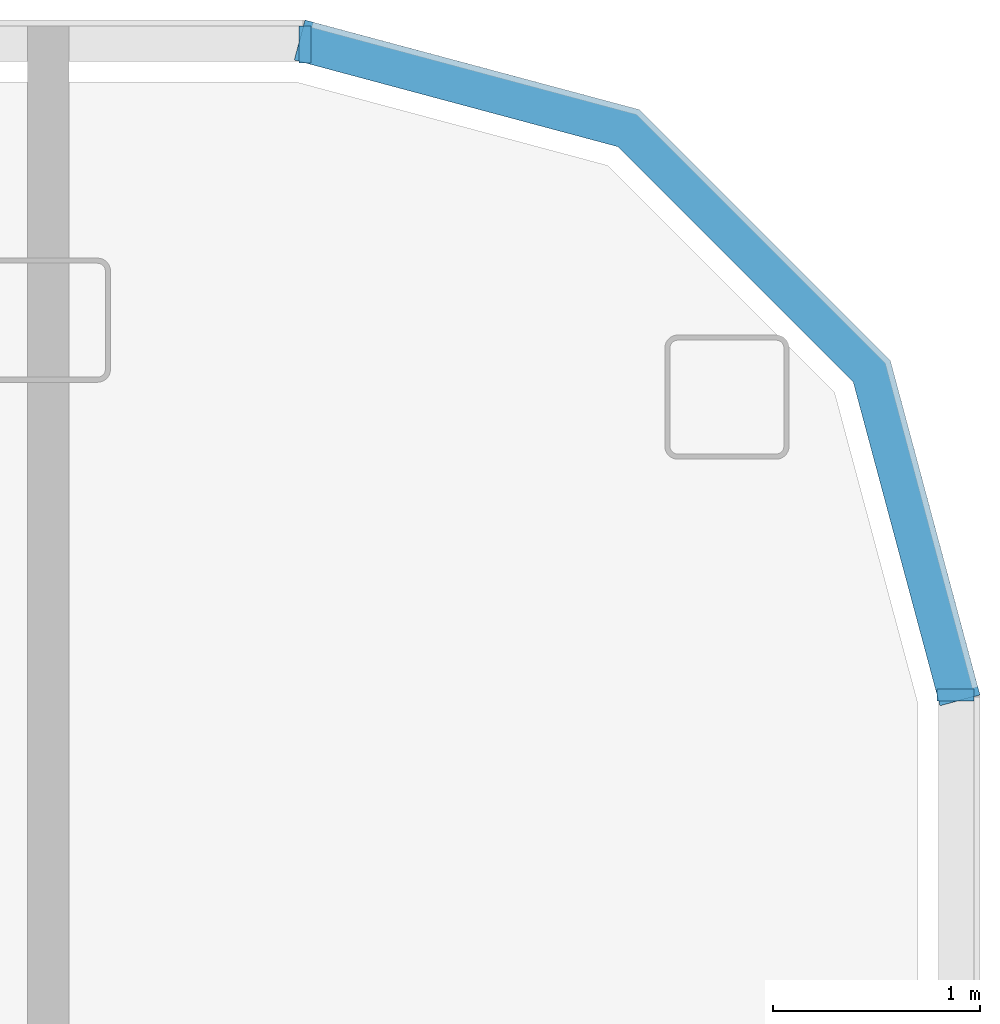
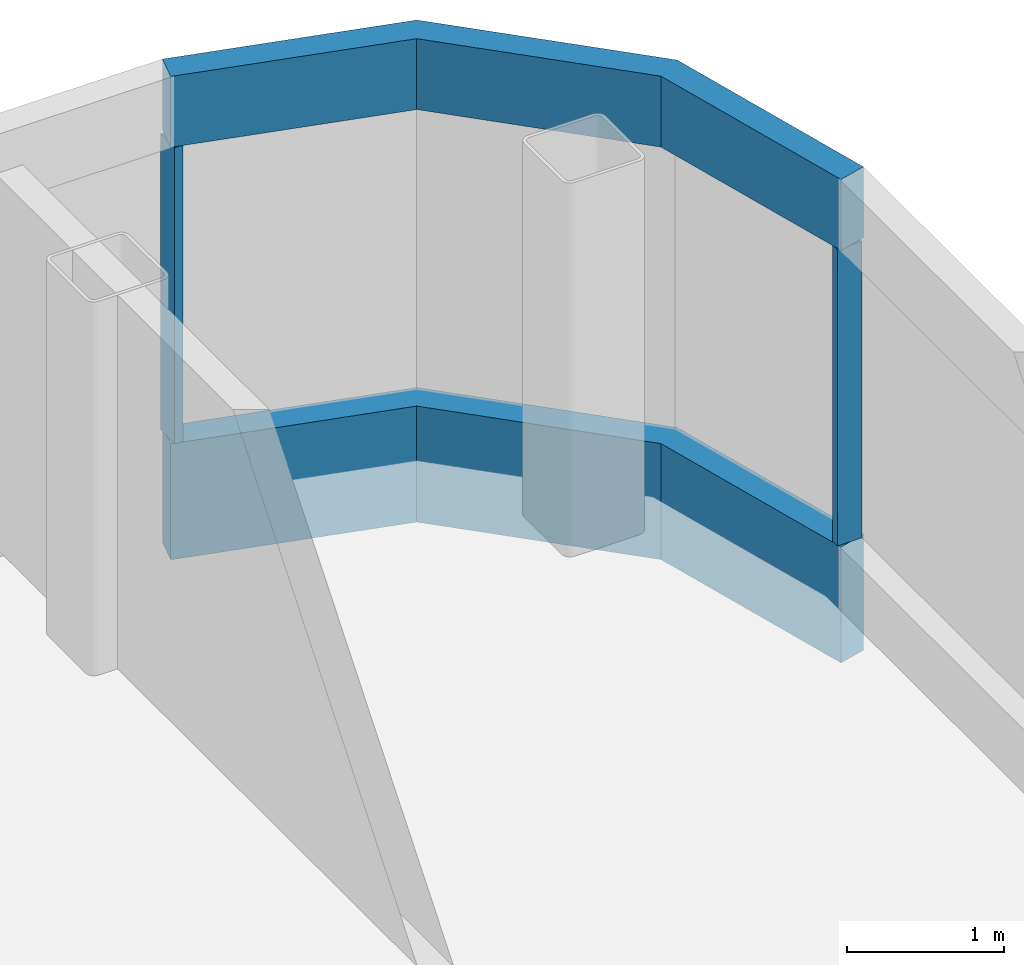
# One storey, part 11 of 26: 4 members, 3 elements without a shape of their own.
"""IFC4 building model written with IfcOpenShell, lengths in metres."""

import ifcopenshell
import ifcopenshell.guid

model = None  # the IFC model being written
_history = None  # IfcOwnerHistory: only IFC2X3 demands one
_inside = {}  # id of a spatial element -> (the spatial element, [elements in it])
_under = {}  # id of a project, library or spatial element -> (it, [spatial elements below it])
_declared = {}  # id of a project -> (the project, [libraries it declares])
_typed = {}  # id of a type object -> (the type object, [elements of that type])
_made_of = {}  # id of a material, layer set ... -> (it, [elements and type objects made of it])


def new_model(schema):
    """Start an empty IFC model of exactly this schema.

    Asked for "IFC4X3", IfcOpenShell would pick the latest addendum, in which some entities
    have other attributes; the version numbers below select the first issue.
    IFC2X3 requires an IfcOwnerHistory on every rooted entity: one is made here for all.
    """
    global model, _history
    if schema == "IFC4X3":
        model = ifcopenshell.file(schema_version=(4, 3, 0, 0))
    else:
        model = ifcopenshell.file(schema=schema)
    _inside.clear()
    _under.clear()
    _declared.clear()
    _typed.clear()
    _made_of.clear()
    _history = None
    if model.schema == "IFC2X3":
        org = make("IfcOrganization", Name="unknown")
        user = make(
            "IfcPersonAndOrganization",
            ThePerson=make("IfcPerson", FamilyName="unknown"),
            TheOrganization=org,
        )
        app = make(
            "IfcApplication",
            ApplicationDeveloper=org,
            Version="unknown",
            ApplicationFullName="unknown",
            ApplicationIdentifier="unknown",
        )
        _history = make(
            "IfcOwnerHistory",
            OwningUser=user,
            OwningApplication=app,
            ChangeAction="ADDED",
            CreationDate=0,
        )
    return model


def make(cls, **values):
    """One entity of the class cls with the attributes given. An attribute that is None is left unset."""
    return model.create_entity(
        cls, **{name: value for name, value in values.items() if value is not None}
    )


def rooted(cls, **values):
    """An entity with a GlobalId (a new one), such as an element, a storey or a relation."""
    return make(cls, GlobalId=ifcopenshell.guid.new(), OwnerHistory=_history, **values)


def si_unit(unit_type, name, prefix=None):
    """IfcSIUnit, for example si_unit("LENGTHUNIT", "METRE", prefix="MILLI")."""
    return make("IfcSIUnit", UnitType=unit_type, Prefix=prefix, Name=name)


def assignment(units):
    """IfcUnitAssignment: the units of a project."""
    return None if units is None else make("IfcUnitAssignment", Units=units)


def point(xyz):
    """IfcCartesianPoint."""
    return None if xyz is None else make("IfcCartesianPoint", Coordinates=xyz)


def direction(xyz):
    """IfcDirection."""
    return None if xyz is None else make("IfcDirection", DirectionRatios=xyz)


def frame(location, z_axis=None, x_axis=None):
    """IfcAxis2Placement3D, a coordinate frame: its origin and axes. An axis left out is left unset."""
    return make(
        "IfcAxis2Placement3D",
        Location=point(location),
        Axis=direction(z_axis),
        RefDirection=direction(x_axis),
    )


def frame_2d(location, x_axis=None):
    """IfcAxis2Placement2D, a coordinate frame in the plane: its origin and x axis."""
    return make(
        "IfcAxis2Placement2D", Location=point(location), RefDirection=direction(x_axis)
    )


def origin():
    """The frame at (0, 0, 0) with its axes left unset."""
    return frame((0.0, 0.0, 0.0))


def origin_2d():
    """The frame at (0, 0) in the plane with its x axis left unset."""
    return frame_2d((0.0, 0.0))


def place(relative_to, where):
    """IfcLocalPlacement: puts the frame where relative to a parent placement (None: the world)."""
    return make(
        "IfcLocalPlacement", PlacementRelTo=relative_to, RelativePlacement=where
    )


def context(
    kind, dimensions, precision=None, world=None, true_north=None, identifier=None
):
    """IfcGeometricRepresentationContext, for example the 3D "Model" context."""
    return make(
        "IfcGeometricRepresentationContext",
        ContextIdentifier=identifier,
        ContextType=kind,
        CoordinateSpaceDimension=dimensions,
        Precision=precision,
        WorldCoordinateSystem=world,
        TrueNorth=true_north,
    )


def subcontext(parent, identifier, kind, view, scale=None):
    """IfcGeometricRepresentationSubContext, for example "Body" below "Model"."""
    return make(
        "IfcGeometricRepresentationSubContext",
        ContextIdentifier=identifier,
        ContextType=kind,
        ParentContext=parent,
        TargetScale=scale,
        TargetView=view,
    )


def project(units=None, contexts=None):
    """IfcProject with its units and contexts."""
    return rooted(
        "IfcProject",
        Name="project",
        RepresentationContexts=contexts,
        UnitsInContext=assignment(units),
    )


def spatial(cls, under=None, at=None, **own):
    """A site, building, storey or space (cls), placed at a placement, below another one or the project."""
    s = rooted(cls, ObjectPlacement=at, **own)
    if under is not None:
        _under.setdefault(under.id(), (under, []))[1].append(s)
    return s


def polyline(points):
    """IfcPolyline through the points."""
    return make("IfcPolyline", Points=[point(p) for p in points])


def profile(cls, at=None, kind="AREA", **sizes):
    """A parametric profile (cls). Its sizes go by their IFC names, for example OverallWidth=200.0."""
    return make(cls, ProfileType=kind, Position=at, **sizes)


def rectangle(**sizes):
    """IfcRectangleProfileDef."""
    return profile("IfcRectangleProfileDef", **sizes)


def outline(outer, holes=None, kind="AREA"):
    """IfcArbitraryClosedProfileDef: a profile drawn as a closed curve; with holes, ...WithVoids."""
    if holes is None:
        return make("IfcArbitraryClosedProfileDef", ProfileType=kind, OuterCurve=outer)
    return make(
        "IfcArbitraryProfileDefWithVoids",
        ProfileType=kind,
        OuterCurve=outer,
        InnerCurves=holes,
    )


def extrude(swept, where, along, depth):
    """IfcExtrudedAreaSolid: the profile swept, set in the frame where, extruded along a direction by depth."""
    return make(
        "IfcExtrudedAreaSolid",
        SweptArea=swept,
        Position=where,
        ExtrudedDirection=direction(along),
        Depth=depth,
    )


def shape(context_of_items, identifier, shape_type, items):
    """IfcShapeRepresentation: the items that make up one representation, for example the "Body"."""
    return make(
        "IfcShapeRepresentation",
        ContextOfItems=context_of_items,
        RepresentationIdentifier=identifier,
        RepresentationType=shape_type,
        Items=items,
    )


def material(Name=None, Category=None):
    """IfcMaterial."""
    return make("IfcMaterial", Name=Name, Category=Category)


def layer(
    of_material, thickness, ventilated=None, Name=None, Category=None, Priority=None
):
    """IfcMaterialLayer: one layer of a wall or slab, of a material (None: an air gap)."""
    return make(
        "IfcMaterialLayer",
        Material=of_material,
        LayerThickness=thickness,
        IsVentilated=ventilated,
        Name=Name,
        Category=Category,
        Priority=Priority,
    )


def layer_set(layers, Name=None):
    """IfcMaterialLayerSet."""
    return make("IfcMaterialLayerSet", MaterialLayers=layers, LayerSetName=Name)


def material_profile(
    of_material, cross_section, Name=None, Category=None, Priority=None
):
    """IfcMaterialProfile: a cross section and its material."""
    return make(
        "IfcMaterialProfile",
        Name=Name,
        Material=of_material,
        Profile=cross_section,
        Priority=Priority,
        Category=Category,
    )


def profile_set(profiles, Name=None, composite=None):
    """IfcMaterialProfileSet."""
    return make(
        "IfcMaterialProfileSet",
        Name=Name,
        MaterialProfiles=profiles,
        CompositeProfile=composite,
    )


def made_of(thing, what):
    """Note that an element or type object is made of a material, layer set ...; save() writes the relation."""
    if what is not None:
        _made_of.setdefault(what.id(), (what, []))[1].append(thing)
    return thing


def type_object(cls, material=None, **own):
    """A type object (cls), such as IfcWallType, which elements share."""
    return made_of(rooted(cls, **own), material)


def element(
    cls,
    number,
    at=None,
    inside=None,
    cuts=None,
    type_object=None,
    material=None,
    context=None,
    identifier="Body",
    shape_type=None,
    held_by="IfcProductDefinitionShape",
    body=None,
    shapes=None,
    **own,
):
    """One element of the class cls, such as IfcWall. Its Tag is "e" and its number.

    at: its placement. inside: the storey or other place that contains it. cuts: it is an
    opening in that element (IfcRelVoidsElement). A single representation is given by context,
    identifier, shape_type and body (its items); several are given by shapes. held_by: the class
    of the entity that holds the representations. save() writes the other relations.
    """
    e = rooted(cls, Tag="e%d" % number, ObjectPlacement=at, **own)
    if body is not None:
        shapes = [shape(context, identifier, shape_type, body)]
    if shapes is not None:
        e.Representation = make(held_by, Representations=shapes)
    if inside is not None:
        _inside.setdefault(inside.id(), (inside, []))[1].append(e)
    if cuts is not None:
        rooted(
            "IfcRelVoidsElement", RelatingBuildingElement=cuts, RelatedOpeningElement=e
        )
    if type_object is not None:
        _typed.setdefault(type_object.id(), (type_object, []))[1].append(e)
    return made_of(e, material)


def aggregate(whole, parts):
    """IfcRelAggregates: a whole, such as a stair, and the parts it consists of."""
    return rooted("IfcRelAggregates", RelatingObject=whole, RelatedObjects=parts)


def save(model, path):
    """Write the relations noted so far, then the file.

    IfcRelAggregates (storeys below a building ...), IfcRelContainedInSpatialStructure (elements
    in a storey), IfcRelDefinesByType, IfcRelAssociatesMaterial and IfcRelDeclares: one each for
    every whole, place, type object, material and project.
    """
    for whole, parts in _under.values():
        aggregate(whole, parts)
    for where, things in _inside.values():
        rooted(
            "IfcRelContainedInSpatialStructure",
            RelatedElements=things,
            RelatingStructure=where,
        )
    for kind, things in _typed.values():
        rooted("IfcRelDefinesByType", RelatedObjects=things, RelatingType=kind)
    for what, things in _made_of.values():
        rooted("IfcRelAssociatesMaterial", RelatedObjects=things, RelatingMaterial=what)
    for by, libraries in _declared.values():
        rooted("IfcRelDeclares", RelatingContext=by, RelatedDefinitions=libraries)
    model.write(path)


model = new_model("IFC4")

# Units and contexts
model_context = context("Model", 3, precision=1e-05, world=origin(), true_north=direction((0.0, 1.0)))
body_context = subcontext(model_context, "Body", "Model", "MODEL_VIEW")
ifc_project = project(units=[si_unit("LENGTHUNIT", "METRE"), si_unit("AREAUNIT", "SQUARE_METRE"), si_unit("VOLUMEUNIT", "CUBIC_METRE"), si_unit("PLANEANGLEUNIT", "RADIAN"), si_unit("MASSUNIT", "GRAM", prefix="KILO")], contexts=[model_context])

# Site, building, storey
site_placement = place(None, origin())
site = spatial("IfcSite", under=ifc_project, at=site_placement, CompositionType="ELEMENT")
building_placement = place(site_placement, origin())
building = spatial("IfcBuilding", under=site, at=building_placement, Name="Hakoniwa Tower and Hamabe Station Hall", CompositionType="ELEMENT")
storey_placement = place(building_placement, frame((0.0, 0.0, 225.0)))
storey = spatial("IfcBuildingStorey", under=building, at=storey_placement, Name="L64", CompositionType="ELEMENT", Elevation=225.0)

# Curtain wall, members
ifc_material_1 = material(Name="Dark low-e laminated glass", Category="glass")
ifc_layer = layer(ifc_material_1, 0.199951171875)
ifc_layer_set = layer_set([ifc_layer], Name="CW-1 UNITISED GUEST")
curtain_wall_type = type_object("IfcCurtainWallType", Name="CW-1 UNITISED GUEST", PredefinedType="NOTDEFINED", material=ifc_layer_set)
curtain_wall_1_placement = place(storey_placement, origin())
curtain_wall_1 = element("IfcCurtainWall", 1, at=curtain_wall_1_placement, inside=storey, type_object=curtain_wall_type, Name="CW-1 curtain wall", PredefinedType="NOTDEFINED")
ifc_material_2 = material(Name="Aluminium 6063-T5 black anodised", Category="aluminium")
ifc_material_profile_1 = material_profile(ifc_material_2, rectangle(XDim=0.199951171875, YDim=0.550048828125, at=origin_2d()), Name="CW HEAD BAND 550X200")
ifc_profile_set_1 = profile_set([ifc_material_profile_1], Name="Aluminium 6063-T5 black anodised")
member_type_1 = type_object("IfcMemberType", Name="CW HEAD BAND 550X200", PredefinedType="USERDEFINED", material=ifc_profile_set_1)
member_1_placement = place(storey_placement, frame((0.0, 0.0, 2.64990234375)))
member_1 = element("IfcMember", 2, at=member_1_placement, type_object=member_type_1, Name="CW-1 transom", ObjectType="TRANSOM", PredefinedType="USERDEFINED", context=body_context, shape_type="SweptSolid", body=[
    extrude(outline(polyline([(38.10009765625, 17.28955078125), (37.6669921875, 18.9052734375), (36.455322265625, 20.116943359375), (34.839599609375, 20.550048828125), (34.787841796875, 20.35693359375), (36.351806640625, 19.937744140625), (37.48779296875, 18.8017578125), (37.90673828125, 17.23779296875), (38.10009765625, 17.28955078125)])), origin(), (0.0, 0.0, 1.0), 0.550048828125),
])
ifc_material_3 = material(Name="Aluminium 6063-T5 black anodised", Category="aluminium")
ifc_material_profile_2 = material_profile(ifc_material_3, rectangle(XDim=0.199951171875, YDim=0.89990234375, at=origin_2d()), Name="CW SLAB-EDGE BAND 900X200")
ifc_profile_set_2 = profile_set([ifc_material_profile_2], Name="Aluminium 6063-T5 black anodised")
member_type_2 = type_object("IfcMemberType", Name="CW SLAB-EDGE BAND 900X200", PredefinedType="USERDEFINED", material=ifc_profile_set_2)
member_2_placement = place(storey_placement, frame((0.0, 0.0, -0.550048828125)))
member_2 = element("IfcMember", 3, at=member_2_placement, type_object=member_type_2, Name="CW-1 transom", ObjectType="TRANSOM", PredefinedType="USERDEFINED", context=body_context, shape_type="SweptSolid", body=[
    extrude(outline(polyline([(38.10009765625, 17.28955078125), (37.6669921875, 18.9052734375), (36.455322265625, 20.116943359375), (34.839599609375, 20.550048828125), (34.787841796875, 20.35693359375), (36.351806640625, 19.937744140625), (37.48779296875, 18.8017578125), (37.90673828125, 17.23779296875), (38.10009765625, 17.28955078125)])), origin(), (0.0, 0.0, 1.0), 0.900146484375),
])
aggregate(curtain_wall_1, [member_2, member_1])

# Curtain wall, member
curtain_wall_2_placement = place(storey_placement, origin())
curtain_wall_2 = element("IfcCurtainWall", 4, at=curtain_wall_2_placement, inside=storey, type_object=curtain_wall_type, Name="CW-1 curtain wall", PredefinedType="NOTDEFINED")
ifc_material_4 = material(Name="Aluminium 6063-T5 black anodised", Category="aluminium")
ifc_material_profile_3 = material_profile(ifc_material_4, rectangle(XDim=0.06005859375, YDim=0.179931640625, at=origin_2d()), Name="CW-1 MULLION 60X180")
ifc_profile_set_3 = profile_set([ifc_material_profile_3], Name="Aluminium 6063-T5 black anodised")
member_type_3 = type_object("IfcMemberType", Name="CW-1 MULLION 60X180", PredefinedType="MULLION", material=ifc_profile_set_3)
member_3_placement = place(storey_placement, frame((37.98193359375, 17.28955078125, 0.35009765625), z_axis=(0.0, 0.0, 1.0), x_axis=(0.0, 1.0, 0.0)))
member_3 = element("IfcMember", 5, at=member_3_placement, type_object=member_type_3, Name="CW-1 mullion", PredefinedType="MULLION", context=body_context, shape_type="SweptSolid", body=[
    extrude(rectangle(XDim=0.06005859375, YDim=0.179931640625, at=origin_2d()), origin(), (0.0, 0.0, 1.0), 2.2998046875),
])
aggregate(curtain_wall_2, [member_3])

curtain_wall_3_placement = place(storey_placement, origin())
curtain_wall_3 = element("IfcCurtainWall", 6, at=curtain_wall_3_placement, inside=storey, type_object=curtain_wall_type, Name="CW-1 curtain wall", PredefinedType="NOTDEFINED")
member_4_placement = place(storey_placement, frame((34.839599609375, 20.431884765625, 0.35009765625), z_axis=(0.0, 0.0, 1.0), x_axis=(-1.0, 0.0, 0.0)))
member_4 = element("IfcMember", 7, at=member_4_placement, type_object=member_type_3, Name="CW-1 mullion", PredefinedType="MULLION", context=body_context, shape_type="SweptSolid", body=[
    extrude(rectangle(XDim=0.06005859375, YDim=0.179931640625, at=origin_2d()), origin(), (0.0, 0.0, 1.0), 2.2998046875),
])
aggregate(curtain_wall_3, [member_4])

save(model, "model.ifc")
